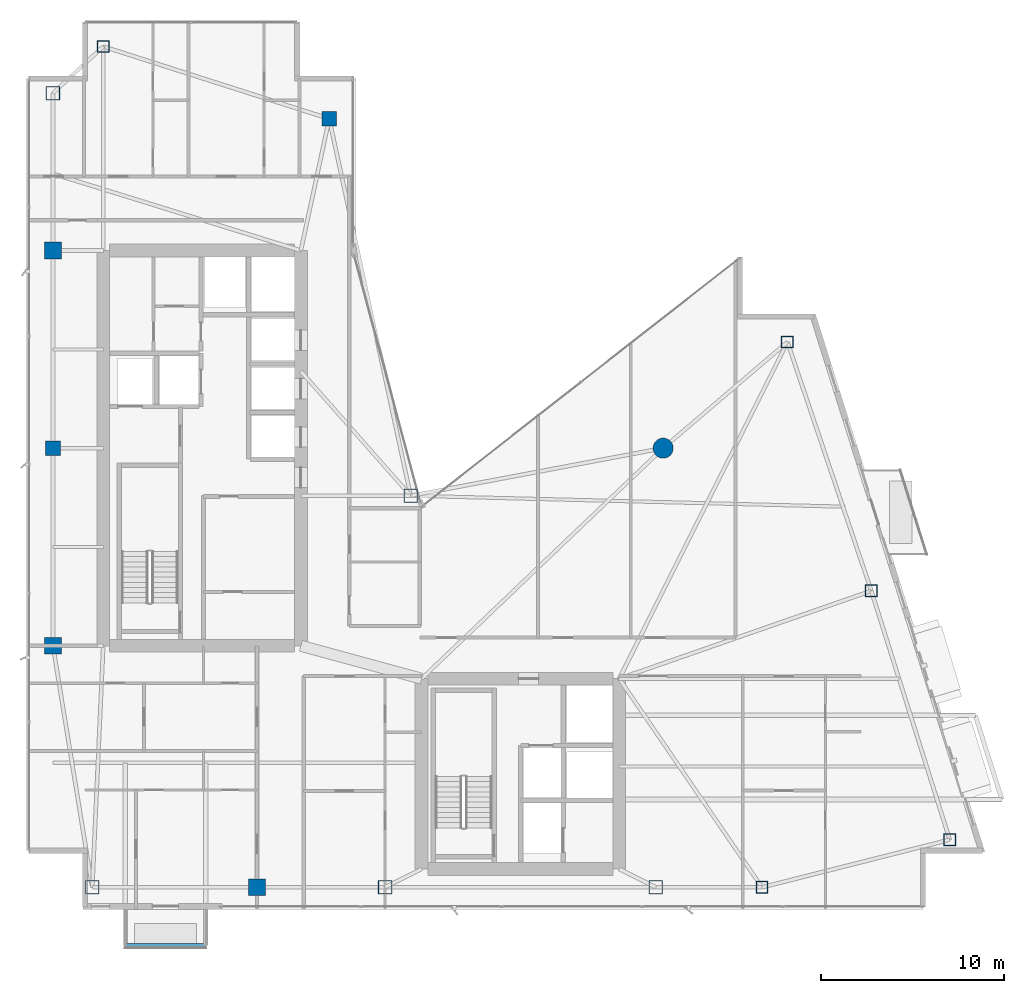
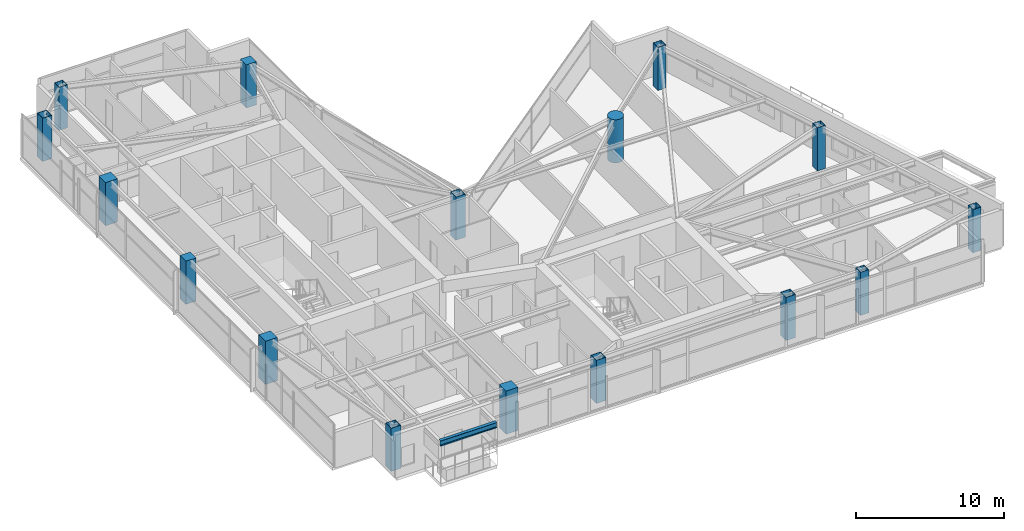
# One storey, part 1 of 29: 16 columns, 1 beam.
"""IFC4 building model written with IfcOpenShell, lengths in metres."""

from ifc_helpers import new_model, si_unit, direction, frame, origin, origin_2d, place, context, subcontext, project, spatial, rectangle, hollow_rectangle, circle, i_section, extrude, material, material_profile, profile_set, type_object, element, save


model = new_model("IFC4")

# Units and contexts
model_context = context("Model", 3, precision=1e-05, world=origin(), true_north=direction((0.0, 1.0)))
body_context = subcontext(model_context, "Body", "Model", "MODEL_VIEW")
ifc_project = project(units=[si_unit("LENGTHUNIT", "METRE"), si_unit("AREAUNIT", "SQUARE_METRE"), si_unit("VOLUMEUNIT", "CUBIC_METRE"), si_unit("PLANEANGLEUNIT", "RADIAN"), si_unit("MASSUNIT", "GRAM", prefix="KILO")], contexts=[model_context])

# Site, building, storey
site_placement = place(None, origin())
site = spatial("IfcSite", under=ifc_project, at=site_placement, CompositionType="ELEMENT")
building_placement = place(site_placement, origin())
building = spatial("IfcBuilding", under=site, at=building_placement, Name="Calvorn Quay Hotel", CompositionType="ELEMENT")
storey_placement = place(building_placement, frame((0.0, 0.0, 211.0)))
storey = spatial("IfcBuildingStorey", under=building, at=storey_placement, Name="L52", CompositionType="ELEMENT", Elevation=211.0)

# Columns
ifc_material_1 = material(Name="Concrete C45", Category="concrete")
ifc_material_profile_1 = material_profile(ifc_material_1, rectangle(XDim=0.800048828125, YDim=0.800048828125, at=origin_2d()), Name="RC800x800")
ifc_profile_set_1 = profile_set([ifc_material_profile_1], Name="Concrete C45")
column_type_1 = type_object("IfcColumnType", Name="COL-RC-800", PredefinedType="COLUMN", material=ifc_profile_set_1)
for number, where, z_axis, x_axis, name in (
    (1, (1.449951171875, 27.60009765625, 0.0), (0.0, 0.0, 1.0), (1.0, 0.0, 0.0), "Column C-W3 (L52)"),
    (2, (16.550048828125, 45.60009765625, 0.0), (0.0, 0.0, 1.0), (1.0, 0.0, 0.0), "Column C-IC1 (L52)"),
):
    element("IfcColumn", number, at=place(storey_placement, frame(where, z_axis=z_axis, x_axis=x_axis)), inside=storey, type_object=column_type_1, Name=name, PredefinedType="COLUMN", context=body_context, shape_type="SweptSolid", body=[
        extrude(rectangle(XDim=0.800048828125, YDim=0.800048828125, at=origin_2d()), origin(), (0.0, 0.0, 1.0), 3.56005859375),
    ])
ifc_material_2 = material(Name="Concrete C45", Category="concrete")
ifc_material_profile_2 = material_profile(ifc_material_2, rectangle(XDim=0.919921875, YDim=0.919921875, at=origin_2d()), Name="RC920x920")
ifc_profile_set_2 = profile_set([ifc_material_profile_2], Name="Concrete C45")
column_type_2 = type_object("IfcColumnType", Name="COL-RC-920", PredefinedType="COLUMN", material=ifc_profile_set_2)
for number, where, z_axis, x_axis, name in (
    (3, (1.449951171875, 16.800048828125, 0.0), (0.0, 0.0, 1.0), (1.0, 0.0, 0.0), "Column C-W2 (L52)"),
    (4, (1.449951171875, 38.39990234375, 0.0), (0.0, 0.0, 1.0), (1.0, 0.0, 0.0), "Column C-W4 (L52)"),
    (5, (12.60009765625, 3.60009765625, 0.0), (0.0, 0.0, 1.0), (1.0, 0.0, 0.0), "Column C-S1 (L52)"),
):
    element("IfcColumn", number, at=place(storey_placement, frame(where, z_axis=z_axis, x_axis=x_axis)), inside=storey, type_object=column_type_2, Name=name, PredefinedType="COLUMN", context=body_context, shape_type="SweptSolid", body=[
        extrude(rectangle(XDim=0.919921875, YDim=0.919921875, at=origin_2d()), origin(), (0.0, 0.0, 1.0), 3.56005859375),
    ])
ifc_material_3 = material(Name="Concrete C50", Category="concrete")
ifc_material_profile_3 = material_profile(ifc_material_3, circle(Radius=0.550048828125, at=origin_2d()), Name="RCD1100")
ifc_profile_set_3 = profile_set([ifc_material_profile_3], Name="Concrete C50")
column_type_3 = type_object("IfcColumnType", Name="COL-RC-D1100", PredefinedType="COLUMN", material=ifc_profile_set_3)
column_placement = place(storey_placement, frame((34.800048828125, 27.60009765625, 0.0), z_axis=(0.0, 0.0, 1.0), x_axis=(1.0, 0.0, 0.0)))
element("IfcColumn", 6, at=column_placement, inside=storey, type_object=column_type_3, Name="Column C-NC1 (L52)", PredefinedType="COLUMN", context=body_context, shape_type="SweptSolid", body=[
    extrude(circle(Radius=0.550048828125, at=origin_2d()), origin(), (0.0, 0.0, 1.0), 3.56005859375),
])
ifc_material_4 = material(Name="Steel Q390GJC", Category="steel")
ifc_material_profile_4 = material_profile(ifc_material_4, hollow_rectangle(XDim=0.75, YDim=0.75, WallThickness=0.031982421875, at=origin_2d()), Name="BOX750x750x32")
ifc_profile_set_4 = profile_set([ifc_material_profile_4], Name="Steel Q390GJC")
column_type_4 = type_object("IfcColumnType", Name="COL-STL-Z3", PredefinedType="COLUMN", material=ifc_profile_set_4)
for number, where, z_axis, x_axis, name in (
    (7, (3.60009765625, 3.60009765625, 0.0), (0.0, 0.0, 1.0), (1.0, 0.0, 0.0), "Column C-W1 (L52)"),
    (8, (1.449951171875, 47.0, 0.0), (0.0, 0.0, 1.0), (1.0, 0.0, 0.0), "Column C-W5 (L52)"),
    (9, (21.0, 25.0, 0.0), (0.0, 0.0, 1.0), (1.0, 0.0, 0.0), "Column C-IC2 (L52)"),
    (10, (19.60009765625, 3.60009765625, 0.0), (0.0, 0.0, 1.0), (1.0, 0.0, 0.0), "Column C-S2 (L52)"),
    (11, (34.39990234375, 3.60009765625, 0.0), (0.0, 0.0, 1.0), (1.0, 0.0, 0.0), "Column C-S3 (L52)"),
):
    element("IfcColumn", number, at=place(storey_placement, frame(where, z_axis=z_axis, x_axis=x_axis)), inside=storey, type_object=column_type_4, Name=name, PredefinedType="COLUMN", context=body_context, shape_type="SweptSolid", body=[
        extrude(hollow_rectangle(XDim=0.75, YDim=0.75, WallThickness=0.031982421875, at=origin_2d()), origin(), (0.0, 0.0, 1.0), 3.56005859375),
    ])
ifc_material_5 = material(Name="Steel Q355B", Category="steel")
ifc_material_profile_5 = material_profile(ifc_material_5, hollow_rectangle(XDim=0.64990234375, YDim=0.64990234375, WallThickness=0.028076171875, at=origin_2d()), Name="BOX650x650x28")
ifc_profile_set_5 = profile_set([ifc_material_profile_5], Name="Steel Q355B")
column_type_5 = type_object("IfcColumnType", Name="COL-STL-Z4", PredefinedType="COLUMN", material=ifc_profile_set_5)
for number, where, z_axis, x_axis, name in (
    (12, (4.199951171875, 49.550048828125, 0.0), (0.0, 0.0, 1.0), (1.0, 0.0, 0.0), "Column C-NW1 (L52)"),
    (13, (40.199951171875, 3.60009765625, 0.0), (0.0, 0.0, 1.0), (1.0, 0.0, 0.0), "Column C-S4 (L52)"),
    (14, (50.4609375, 6.199951171875, 0.0), (0.0, 0.0, 1.0), (1.0, 0.0, 0.0), "Column C-ET1 (L52)"),
    (15, (46.176025390625, 19.800048828125, 0.0), (0.0, 0.0, 1.0), (1.0, 0.0, 0.0), "Column C-ET2 (L52)"),
    (16, (41.591064453125, 33.39990234375, 0.0), (0.0, 0.0, 1.0), (1.0, 0.0, 0.0), "Column C-ET3 (L52)"),
):
    element("IfcColumn", number, at=place(storey_placement, frame(where, z_axis=z_axis, x_axis=x_axis)), inside=storey, type_object=column_type_5, Name=name, PredefinedType="COLUMN", context=body_context, shape_type="SweptSolid", body=[
        extrude(hollow_rectangle(XDim=0.64990234375, YDim=0.64990234375, WallThickness=0.028076171875, at=origin_2d()), origin(), (0.0, 0.0, 1.0), 3.56005859375),
    ])

# Beam
ifc_material_6 = material(Name="Steel Q355B", Category="steel")
ifc_material_profile_6 = material_profile(ifc_material_6, i_section(OverallWidth=0.25, OverallDepth=0.449951171875, WebThickness=0.011962890625, FlangeThickness=0.01611328125, FilletRadius=0.01611328125, at=origin_2d()), Name="HN450x250x12x16")
ifc_profile_set_6 = profile_set([ifc_material_profile_6], Name="Steel Q355B")
beam_type = type_object("IfcBeamType", Name="BM-CANT-BALC", PredefinedType="BEAM", material=ifc_profile_set_6)
beam_placement = place(storey_placement, frame((5.39990234375, 0.409912109375, 3.31494140625), z_axis=(1.0, 0.0, 0.0), x_axis=(0.0, 1.0, 0.0)))
element("IfcBeam", 17, at=beam_placement, inside=storey, type_object=beam_type, Name="Beam BCBO-L53-2", PredefinedType="BEAM", context=body_context, shape_type="SweptSolid", body=[
    extrude(i_section(OverallWidth=0.25, OverallDepth=0.449951171875, WebThickness=0.011962890625, FlangeThickness=0.01611328125, FilletRadius=0.01611328125, at=origin_2d()), origin(), (0.0, 0.0, 1.0), 4.400146484375),
])

save(model, "model.ifc")
